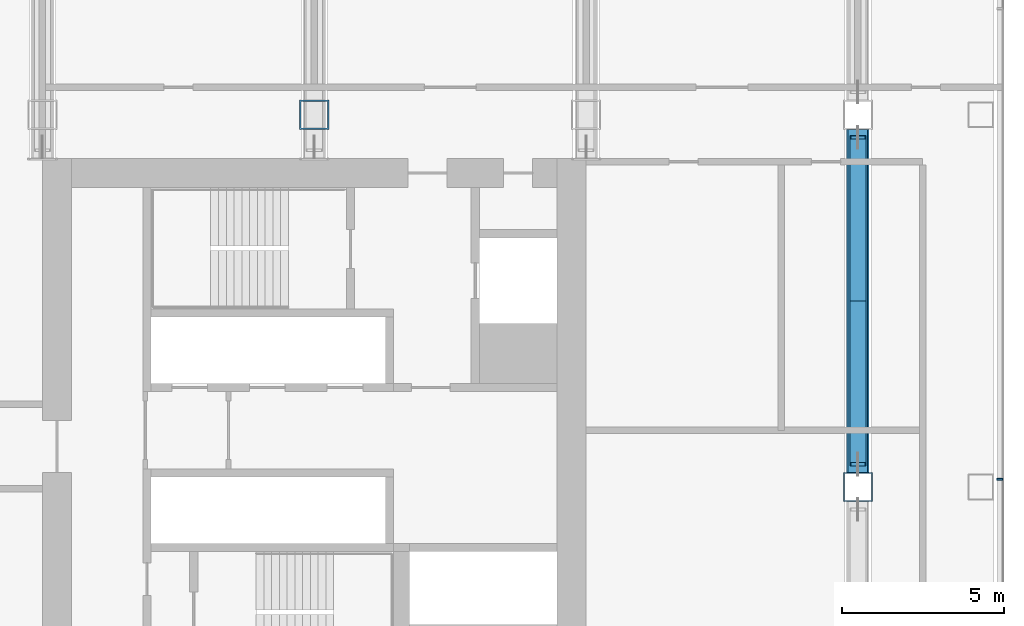
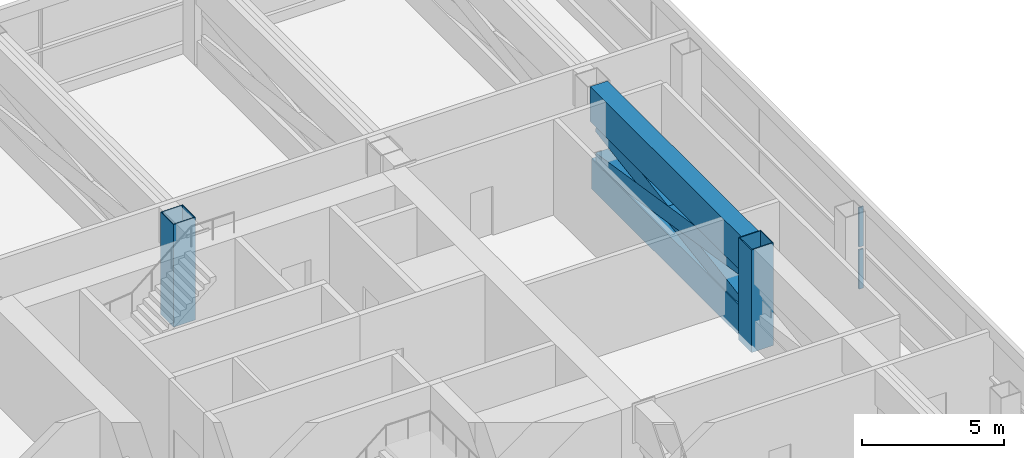
# One storey, part 14 of 31: 8 members, 1 element without a shape of its own.
"""IFC4 building model written with IfcOpenShell, lengths in metres."""

from ifc_helpers import new_model, si_unit, direction, frame, origin, origin_2d, place, context, subcontext, project, spatial, rectangle, hollow_rectangle, extrude, material, layer, layer_set, material_profile, profile_set, type_object, element, aggregate, save


model = new_model("IFC4")

# Units and contexts
model_context = context("Model", 3, precision=1e-05, world=origin(), true_north=direction((0.0, 1.0)))
body_context = subcontext(model_context, "Body", "Model", "MODEL_VIEW")
ifc_project = project(units=[si_unit("LENGTHUNIT", "METRE"), si_unit("AREAUNIT", "SQUARE_METRE"), si_unit("VOLUMEUNIT", "CUBIC_METRE"), si_unit("PLANEANGLEUNIT", "RADIAN"), si_unit("MASSUNIT", "GRAM", prefix="KILO")], contexts=[model_context])

# Site, building, storey
site_placement = place(None, origin())
site = spatial("IfcSite", under=ifc_project, at=site_placement, CompositionType="ELEMENT")
building_placement = place(site_placement, origin())
building = spatial("IfcBuilding", under=site, at=building_placement, Name="Hakoniwa Tower and Hamabe Station Hall", CompositionType="ELEMENT")
storey_placement = place(building_placement, frame((0.0, 0.0, 120.199951171875)))
storey = spatial("IfcBuildingStorey", under=building, at=storey_placement, Name="L34", CompositionType="ELEMENT", Elevation=120.199951171875)

# Curtain wall, members
ifc_material_1 = material(Name="Dark low-e laminated glass", Category="glass")
ifc_layer = layer(ifc_material_1, 0.199951171875)
ifc_layer_set = layer_set([ifc_layer], Name="CW-6 PLANT LOUVRE")
curtain_wall_type = type_object("IfcCurtainWallType", Name="CW-6 PLANT LOUVRE", PredefinedType="NOTDEFINED", material=ifc_layer_set)
curtain_wall_placement = place(storey_placement, origin())
curtain_wall = element("IfcCurtainWall", 1, at=curtain_wall_placement, inside=storey, type_object=curtain_wall_type, Name="CW-6 curtain wall", PredefinedType="NOTDEFINED")
ifc_material_2 = material(Name="Aluminium 6063-T5 black anodised", Category="aluminium")
ifc_material_profile_1 = material_profile(ifc_material_2, rectangle(XDim=0.06005859375, YDim=0.179931640625, at=origin_2d()), Name="CW-1 MULLION 60X180")
ifc_profile_set_1 = profile_set([ifc_material_profile_1], Name="Aluminium 6063-T5 black anodised")
member_type_1 = type_object("IfcMemberType", Name="CW-1 MULLION 60X180", PredefinedType="MULLION", material=ifc_profile_set_1)
member_1_placement = place(storey_placement, frame((46.382080078125, -1.5078125, 0.35009765625), z_axis=(0.0, 0.0, 1.0), x_axis=(0.0, 1.0, 0.0)))
member_1 = element("IfcMember", 2, at=member_1_placement, type_object=member_type_1, Name="CW-6 mullion", PredefinedType="MULLION", context=body_context, shape_type="SweptSolid", body=[
    extrude(rectangle(XDim=0.06005859375, YDim=0.179931640625, at=origin_2d()), origin(), (0.0, 0.0, 1.0), 1.68994140625),
])
member_2_placement = place(storey_placement, frame((46.382080078125, -1.5078125, 2.16015625), z_axis=(0.0, 0.0, 1.0), x_axis=(0.0, 1.0, 0.0)))
member_2 = element("IfcMember", 3, at=member_2_placement, type_object=member_type_1, Name="CW-6 mullion", PredefinedType="MULLION", context=body_context, shape_type="SweptSolid", body=[
    extrude(rectangle(XDim=0.06005859375, YDim=0.179931640625, at=origin_2d()), origin(), (0.0, 0.0, 1.0), 1.68994140625),
])
aggregate(curtain_wall, [member_1, member_2])

# Members
ifc_material_3 = material(Name="Steel SN490C", Category="steel")
ifc_material_profile_2 = material_profile(ifc_material_3, hollow_rectangle(XDim=0.60009765625, YDim=1.300048828125, WallThickness=0.050048828125, at=origin_2d()), Name="BX-1300x600x50")
ifc_profile_set_2 = profile_set([ifc_material_profile_2], Name="Steel SN490C")
member_type_2 = type_object("IfcMemberType", Name="TRUSS CHORD BX-1300x600x50", PredefinedType="CHORD", material=ifc_profile_set_2)
member_3_placement = place(storey_placement, frame((42.0, -1.300048828125, 0.35009765625), z_axis=(0.0, 1.0, 0.0), x_axis=(-1.0, 0.0, 0.0)))
element("IfcMember", 4, at=member_3_placement, inside=storey, type_object=member_type_2, Name="Truss T2-21-BC02", PredefinedType="CHORD", context=body_context, shape_type="SweptSolid", body=[
    extrude(hollow_rectangle(XDim=0.60009765625, YDim=1.300048828125, WallThickness=0.050048828125, at=origin_2d()), origin(), (0.0, 0.0, 1.0), 10.60009765625),
])
ifc_material_4 = material(Name="Steel SN490C", Category="steel")
ifc_material_profile_3 = material_profile(ifc_material_4, hollow_rectangle(XDim=0.699951171875, YDim=1.5, WallThickness=0.054931640625, at=origin_2d()), Name="BX-1500x700x55")
ifc_profile_set_3 = profile_set([ifc_material_profile_3], Name="Steel SN490C")
member_type_3 = type_object("IfcMemberType", Name="TRUSS CHORD BX-1500x700x55", PredefinedType="CHORD", material=ifc_profile_set_3)
member_4_placement = place(storey_placement, frame((42.0, -1.300048828125, 3.35009765625), z_axis=(0.0, 1.0, 0.0), x_axis=(-1.0, 0.0, 0.0)))
element("IfcMember", 5, at=member_4_placement, inside=storey, type_object=member_type_3, Name="Truss T2-21-TC02", PredefinedType="CHORD", context=body_context, shape_type="SweptSolid", body=[
    extrude(hollow_rectangle(XDim=0.699951171875, YDim=1.5, WallThickness=0.054931640625, at=origin_2d()), origin(), (0.0, 0.0, 1.0), 10.60009765625),
])
ifc_material_5 = material(Name="Steel SN490C", Category="steel")
ifc_material_profile_4 = material_profile(ifc_material_5, hollow_rectangle(XDim=0.5, YDim=0.699951171875, WallThickness=0.031982421875, at=origin_2d()), Name="BX-700x500x32")
ifc_profile_set_4 = profile_set([ifc_material_profile_4], Name="Steel SN490C")
member_type_4 = type_object("IfcMemberType", Name="TRUSS DIAGONAL BX-700x500x32", PredefinedType="BRACE", material=ifc_profile_set_4)
for number, where, z_axis, x_axis, name in (
    (6, (42.0, -1.050048828125, 1.0), (0.0, 0.98768230609, 0.156472560651), (-1.0, 0.0, 0.0), "Truss T2-21-D02a"),
    (7, (42.0, -1.050048828125, 2.60009765625), (0.0, 0.98768230609, -0.156472560651), (-1.0, 0.0, 0.0), "Truss T2-21-D02b"),
):
    element("IfcMember", number, at=place(storey_placement, frame(where, z_axis=z_axis, x_axis=x_axis)), inside=storey, type_object=member_type_4, Name=name, PredefinedType="BRACE", context=body_context, shape_type="SweptSolid", body=[
        extrude(hollow_rectangle(XDim=0.5, YDim=0.699951171875, WallThickness=0.031982421875, at=origin_2d()), origin(), (0.0, 0.0, 1.0), 10.22607421875),
    ])
ifc_material_6 = material(Name="Steel SN490C", Category="steel")
ifc_material_profile_5 = material_profile(ifc_material_6, hollow_rectangle(XDim=0.89990234375, YDim=0.89990234375, WallThickness=0.035888671875, at=origin_2d()), Name="BX-900x900x36")
ifc_profile_set_5 = profile_set([ifc_material_profile_5], Name="Steel SN490C")
member_type_5 = type_object("IfcMemberType", Name="TRUSS POST BX-900x900x36", PredefinedType="POST", material=ifc_profile_set_5)
for number, where, z_axis, x_axis, name in (
    (8, (25.199951171875, 9.75, -0.300048828125), (0.0, 0.0, 1.0), (1.0, 0.0, 0.0), "Truss T2-17-P02"),
    (9, (42.0, -1.75, -0.300048828125), (0.0, 0.0, 1.0), (1.0, 0.0, 0.0), "Truss T2-21-P02"),
):
    element("IfcMember", number, at=place(storey_placement, frame(where, z_axis=z_axis, x_axis=x_axis)), inside=storey, type_object=member_type_5, Name=name, PredefinedType="POST", context=body_context, shape_type="SweptSolid", body=[
        extrude(hollow_rectangle(XDim=0.89990234375, YDim=0.89990234375, WallThickness=0.035888671875, at=origin_2d()), origin(), (0.0, 0.0, 1.0), 4.400146484375),
    ])

save(model, "model.ifc")
